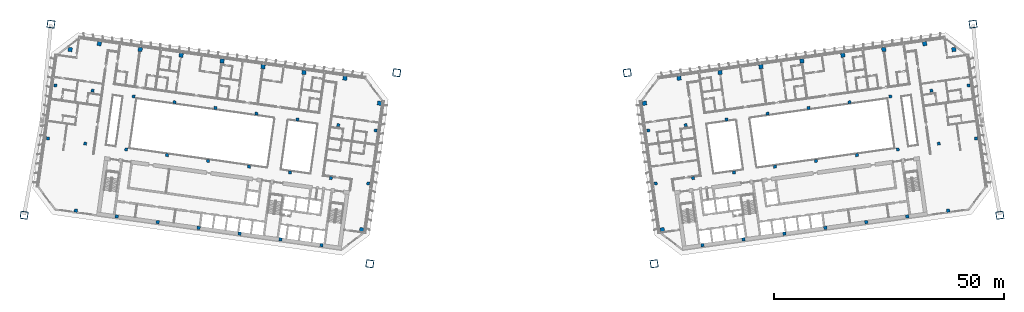
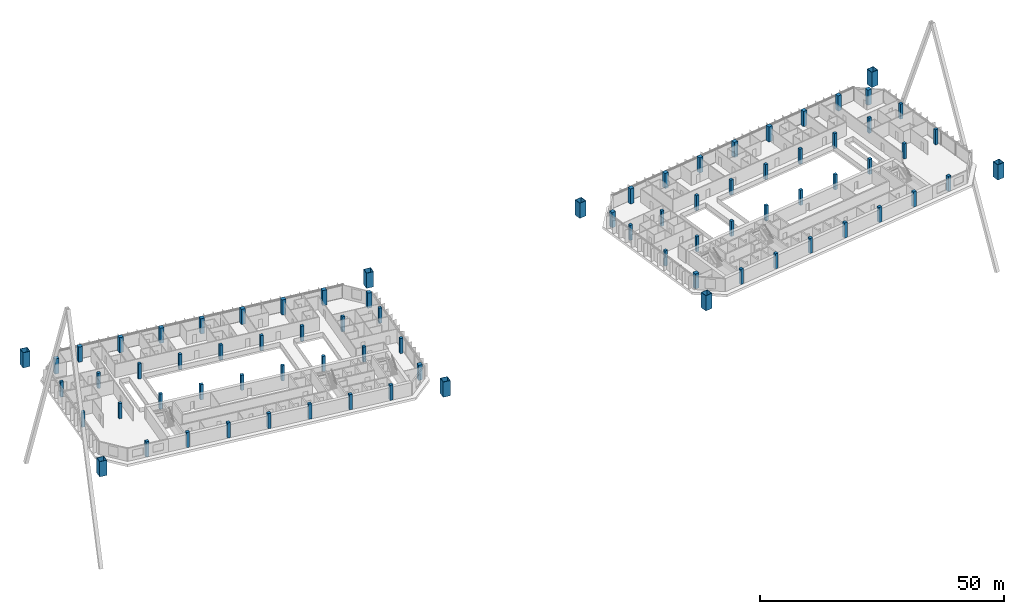
# One storey, part 1 of 33: 78 columns.
"""IFC4 building model written with IfcOpenShell, lengths in metres."""

from ifc_helpers import new_model, si_unit, direction, frame, origin, origin_2d, place, context, subcontext, project, spatial, rectangle, hollow_rectangle, extrude, material, material_profile, profile_set, type_object, element, save


model = new_model("IFC4")

# Units and contexts
model_context = context("Model", 3, precision=1e-05, world=origin(), true_north=direction((0.0, 1.0)))
body_context = subcontext(model_context, "Body", "Model", "MODEL_VIEW")
ifc_project = project(units=[si_unit("LENGTHUNIT", "METRE"), si_unit("AREAUNIT", "SQUARE_METRE"), si_unit("VOLUMEUNIT", "CUBIC_METRE"), si_unit("PLANEANGLEUNIT", "RADIAN"), si_unit("MASSUNIT", "GRAM", prefix="KILO")], contexts=[model_context])

# Site, building, storey
site_placement = place(None, origin())
site = spatial("IfcSite", under=ifc_project, at=site_placement, CompositionType="ELEMENT")
building_placement = place(site_placement, origin())
building = spatial("IfcBuilding", under=site, at=building_placement, Name="Mirante Cascada Hotel Towers", CompositionType="ELEMENT")
storey_placement = place(building_placement, frame((0.0, 0.0, 121.5)))
storey = spatial("IfcBuildingStorey", under=building, at=storey_placement, Name="L27", CompositionType="ELEMENT", Elevation=121.5)

# Columns
ifc_material_1 = material(Name="Steel ASTM A572 Gr 50", Category="steel")
ifc_material_profile_1 = material_profile(ifc_material_1, hollow_rectangle(XDim=1.6, YDim=1.6, WallThickness=0.07, at=origin_2d()), Name="Box column 1600x1600x70 ASTM A572 Gr 50")
ifc_profile_set_1 = profile_set([ifc_material_profile_1], Name="Steel ASTM A572 Gr 50")
column_type_1 = type_object("IfcColumnType", Name="Box column 1600x1600x70 ASTM A572 Gr 50", PredefinedType="COLUMN", material=ifc_profile_set_1)
for number, where, z_axis, x_axis, name in (
    (1, (-25.0968, 18.5173, 0.0), (0.0, 0.0, 1.0), (-0.9902681, 0.1391731, 0.0), "Mega column MC1 T1 L27"),
    (2, (-30.9421, -23.074, 0.0), (0.0, 0.0, 1.0), (-0.9902681, 0.1391731, 0.0), "Mega column MC2 T1 L27"),
    (3, (-100.3572, 29.0944, 0.0), (0.0, 0.0, 1.0), (-0.9902681, 0.1391731, 0.0), "Mega column MC3 T1 L27"),
    (4, (-106.2025, -12.4968, 0.0), (0.0, 0.0, 1.0), (-0.9902681, 0.1391731, 0.0), "Mega column MC4 T1 L27"),
    (5, (25.0968, 18.5173, 0.0), (0.0, 0.0, 1.0), (0.9902681, 0.1391731, 0.0), "Mega column MC1 T2 L27"),
    (6, (30.9421, -23.074, 0.0), (0.0, 0.0, 1.0), (0.9902681, 0.1391731, 0.0), "Mega column MC2 T2 L27"),
    (7, (100.3572, 29.0944, 0.0), (0.0, 0.0, 1.0), (0.9902681, 0.1391731, 0.0), "Mega column MC3 T2 L27"),
    (8, (106.2025, -12.4968, 0.0), (0.0, 0.0, 1.0), (0.9902681, 0.1391731, 0.0), "Mega column MC4 T2 L27"),
):
    element("IfcColumn", number, at=place(storey_placement, frame(where, z_axis=z_axis, x_axis=x_axis)), inside=storey, type_object=column_type_1, Name=name, PredefinedType="COLUMN", context=body_context, shape_type="SweptSolid", body=[
        extrude(hollow_rectangle(XDim=1.6, YDim=1.6, WallThickness=0.07, at=origin_2d()), origin(), (0.0, 0.0, 1.0), 3.8),
    ])
ifc_material_2 = material(Name="Concrete C60/75", Category="concrete")
ifc_material_profile_2 = material_profile(ifc_material_2, rectangle(XDim=0.65, YDim=0.65, at=origin_2d()), Name="RC column 650x650 C60/75")
ifc_profile_set_2 = profile_set([ifc_material_profile_2], Name="Concrete C60/75")
column_type_2 = type_object("IfcColumnType", Name="RC column 650x650 C60/75", PredefinedType="COLUMN", material=ifc_profile_set_2)
for number, where, z_axis, x_axis, name in (
    (9, (-29.6893, 5.9592, 0.0), (0.0, 0.0, 1.0), (-0.9902681, 0.1391731, 0.0), "Column T1 L27 2"),
    (10, (-31.3106, -5.5774, 0.0), (0.0, 0.0, 1.0), (-0.9902681, 0.1391731, 0.0), "Column T1 L27 3"),
    (11, (-37.8095, 7.1004, 0.0), (0.0, 0.0, 1.0), (-0.9902681, 0.1391731, 0.0), "Column T1 L27 6"),
    (12, (-39.4308, -4.4362, 0.0), (0.0, 0.0, 1.0), (-0.9902681, 0.1391731, 0.0), "Column T1 L27 7"),
    (13, (-46.7219, 8.353, 0.0), (0.0, 0.0, 1.0), (-0.9902681, 0.1391731, 0.0), "Column T1 L27 10"),
    (14, (-48.3432, -3.1836, 0.0), (0.0, 0.0, 1.0), (-0.9902681, 0.1391731, 0.0), "Column T1 L27 11"),
    (15, (-55.6343, 9.6055, 0.0), (0.0, 0.0, 1.0), (-0.9902681, 0.1391731, 0.0), "Column T1 L27 14"),
    (16, (-57.2557, -1.9311, 0.0), (0.0, 0.0, 1.0), (-0.9902681, 0.1391731, 0.0), "Column T1 L27 15"),
    (17, (-64.5467, 10.8581, 0.0), (0.0, 0.0, 1.0), (-0.9902681, 0.1391731, 0.0), "Column T1 L27 18"),
    (18, (-66.1681, -0.6785, 0.0), (0.0, 0.0, 1.0), (-0.9902681, 0.1391731, 0.0), "Column T1 L27 19"),
    (19, (-73.4591, 12.1107, 0.0), (0.0, 0.0, 1.0), (-0.9902681, 0.1391731, 0.0), "Column T1 L27 22"),
    (20, (-75.0805, 0.574, 0.0), (0.0, 0.0, 1.0), (-0.9902681, 0.1391731, 0.0), "Column T1 L27 23"),
    (21, (-82.3715, 13.3632, 0.0), (0.0, 0.0, 1.0), (-0.9902681, 0.1391731, 0.0), "Column T1 L27 26"),
    (22, (-83.9929, 1.8266, 0.0), (0.0, 0.0, 1.0), (-0.9902681, 0.1391731, 0.0), "Column T1 L27 27"),
    (23, (-91.2839, 14.6158, 0.0), (0.0, 0.0, 1.0), (-0.9902681, 0.1391731, 0.0), "Column T1 L27 30"),
    (24, (-92.9053, 3.0792, 0.0), (0.0, 0.0, 1.0), (-0.9902681, 0.1391731, 0.0), "Column T1 L27 31"),
    (25, (-99.4041, 15.757, 0.0), (0.0, 0.0, 1.0), (-0.9902681, 0.1391731, 0.0), "Column T1 L27 34"),
    (26, (-101.0255, 4.2204, 0.0), (0.0, 0.0, 1.0), (-0.9902681, 0.1391731, 0.0), "Column T1 L27 35"),
    (27, (29.6893, 5.9592, 0.0), (0.0, 0.0, 1.0), (0.9902681, 0.1391731, 0.0), "Column T2 L27 2"),
    (28, (31.3106, -5.5774, 0.0), (0.0, 0.0, 1.0), (0.9902681, 0.1391731, 0.0), "Column T2 L27 3"),
    (29, (37.8095, 7.1004, 0.0), (0.0, 0.0, 1.0), (0.9902681, 0.1391731, 0.0), "Column T2 L27 6"),
    (30, (39.4308, -4.4362, 0.0), (0.0, 0.0, 1.0), (0.9902681, 0.1391731, 0.0), "Column T2 L27 7"),
    (31, (46.7219, 8.353, 0.0), (0.0, 0.0, 1.0), (0.9902681, 0.1391731, 0.0), "Column T2 L27 10"),
    (32, (48.3432, -3.1836, 0.0), (0.0, 0.0, 1.0), (0.9902681, 0.1391731, 0.0), "Column T2 L27 11"),
    (33, (55.6343, 9.6055, 0.0), (0.0, 0.0, 1.0), (0.9902681, 0.1391731, 0.0), "Column T2 L27 14"),
    (34, (57.2557, -1.9311, 0.0), (0.0, 0.0, 1.0), (0.9902681, 0.1391731, 0.0), "Column T2 L27 15"),
    (35, (64.5467, 10.8581, 0.0), (0.0, 0.0, 1.0), (0.9902681, 0.1391731, 0.0), "Column T2 L27 18"),
    (36, (66.1681, -0.6785, 0.0), (0.0, 0.0, 1.0), (0.9902681, 0.1391731, 0.0), "Column T2 L27 19"),
    (37, (73.4591, 12.1107, 0.0), (0.0, 0.0, 1.0), (0.9902681, 0.1391731, 0.0), "Column T2 L27 22"),
    (38, (75.0805, 0.574, 0.0), (0.0, 0.0, 1.0), (0.9902681, 0.1391731, 0.0), "Column T2 L27 23"),
    (39, (82.3715, 13.3632, 0.0), (0.0, 0.0, 1.0), (0.9902681, 0.1391731, 0.0), "Column T2 L27 26"),
    (40, (83.9929, 1.8266, 0.0), (0.0, 0.0, 1.0), (0.9902681, 0.1391731, 0.0), "Column T2 L27 27"),
    (41, (91.2839, 14.6158, 0.0), (0.0, 0.0, 1.0), (0.9902681, 0.1391731, 0.0), "Column T2 L27 30"),
    (42, (92.9053, 3.0792, 0.0), (0.0, 0.0, 1.0), (0.9902681, 0.1391731, 0.0), "Column T2 L27 31"),
    (43, (99.4041, 15.757, 0.0), (0.0, 0.0, 1.0), (0.9902681, 0.1391731, 0.0), "Column T2 L27 34"),
    (44, (101.0255, 4.2204, 0.0), (0.0, 0.0, 1.0), (0.9902681, 0.1391731, 0.0), "Column T2 L27 35"),
):
    element("IfcColumn", number, at=place(storey_placement, frame(where, z_axis=z_axis, x_axis=x_axis)), inside=storey, type_object=column_type_2, Name=name, PredefinedType="COLUMN", context=body_context, shape_type="SweptSolid", body=[
        extrude(rectangle(XDim=0.65, YDim=0.65, at=origin_2d()), origin(), (0.0, 0.0, 1.0), 3.8),
    ])
ifc_material_3 = material(Name="Concrete C60/75", Category="concrete")
ifc_material_profile_3 = material_profile(ifc_material_3, rectangle(XDim=0.7, YDim=0.7, at=origin_2d()), Name="RC column 700x700 C60/75")
ifc_profile_set_3 = profile_set([ifc_material_profile_3], Name="Concrete C60/75")
column_type_3 = type_object("IfcColumnType", Name="RC column 700x700 C60/75", PredefinedType="COLUMN", material=ifc_profile_set_3)
for number, where, z_axis, x_axis, name in (
    (45, (-41.4802, -19.0179, 0.0), (0.0, 0.0, 1.0), (-0.9902681, 0.1391731, 0.0), "Column T1 L27 8"),
    (46, (-50.3926, -17.7653, 0.0), (0.0, 0.0, 1.0), (-0.9902681, 0.1391731, 0.0), "Column T1 L27 12"),
    (47, (-59.305, -16.5128, 0.0), (0.0, 0.0, 1.0), (-0.9902681, 0.1391731, 0.0), "Column T1 L27 16"),
    (48, (-68.2174, -15.2602, 0.0), (0.0, 0.0, 1.0), (-0.9902681, 0.1391731, 0.0), "Column T1 L27 20"),
    (49, (-77.1298, -14.0077, 0.0), (0.0, 0.0, 1.0), (-0.9902681, 0.1391731, 0.0), "Column T1 L27 24"),
    (50, (-86.0422, -12.7551, 0.0), (0.0, 0.0, 1.0), (-0.9902681, 0.1391731, 0.0), "Column T1 L27 28"),
    (51, (-94.9546, -11.5025, 0.0), (0.0, 0.0, 1.0), (-0.9902681, 0.1391731, 0.0), "Column T1 L27 32"),
    (52, (41.4802, -19.0179, 0.0), (0.0, 0.0, 1.0), (0.9902681, 0.1391731, 0.0), "Column T2 L27 8"),
    (53, (50.3926, -17.7653, 0.0), (0.0, 0.0, 1.0), (0.9902681, 0.1391731, 0.0), "Column T2 L27 12"),
    (54, (59.305, -16.5128, 0.0), (0.0, 0.0, 1.0), (0.9902681, 0.1391731, 0.0), "Column T2 L27 16"),
    (55, (68.2174, -15.2602, 0.0), (0.0, 0.0, 1.0), (0.9902681, 0.1391731, 0.0), "Column T2 L27 20"),
    (56, (77.1298, -14.0077, 0.0), (0.0, 0.0, 1.0), (0.9902681, 0.1391731, 0.0), "Column T2 L27 24"),
    (57, (86.0422, -12.7551, 0.0), (0.0, 0.0, 1.0), (0.9902681, 0.1391731, 0.0), "Column T2 L27 28"),
    (58, (94.9546, -11.5025, 0.0), (0.0, 0.0, 1.0), (0.9902681, 0.1391731, 0.0), "Column T2 L27 32"),
):
    element("IfcColumn", number, at=place(storey_placement, frame(where, z_axis=z_axis, x_axis=x_axis)), inside=storey, type_object=column_type_3, Name=name, PredefinedType="COLUMN", context=body_context, shape_type="SweptSolid", body=[
        extrude(rectangle(XDim=0.7, YDim=0.7, at=origin_2d()), origin(), (0.0, 0.0, 1.0), 3.8),
    ])
ifc_material_4 = material(Name="Concrete C60/75", Category="concrete")
ifc_material_profile_4 = material_profile(ifc_material_4, rectangle(XDim=0.9, YDim=0.9, at=origin_2d()), Name="RC column 900x900 C60/75")
ifc_profile_set_4 = profile_set([ifc_material_profile_4], Name="Concrete C60/75")
column_type_4 = type_object("IfcColumnType", Name="RC column 900x900 C60/75", PredefinedType="COLUMN", material=ifc_profile_set_4)
for number, where, z_axis, x_axis, name in (
    (59, (-28.8577, 11.8761, 0.0), (0.0, 0.0, 1.0), (-0.9902681, 0.1391731, 0.0), "Column T1 L27 1"),
    (60, (-32.7267, -15.6534, 0.0), (0.0, 0.0, 1.0), (-0.9902681, 0.1391731, 0.0), "Column T1 L27 4"),
    (61, (-36.3725, 17.325, 0.0), (0.0, 0.0, 1.0), (-0.9902681, 0.1391731, 0.0), "Column T1 L27 5"),
    (62, (-45.2849, 18.5775, 0.0), (0.0, 0.0, 1.0), (-0.9902681, 0.1391731, 0.0), "Column T1 L27 9"),
    (63, (-54.1973, 19.8301, 0.0), (0.0, 0.0, 1.0), (-0.9902681, 0.1391731, 0.0), "Column T1 L27 13"),
    (64, (-63.1097, 21.0826, 0.0), (0.0, 0.0, 1.0), (-0.9902681, 0.1391731, 0.0), "Column T1 L27 17"),
    (65, (-72.0222, 22.3352, 0.0), (0.0, 0.0, 1.0), (-0.9902681, 0.1391731, 0.0), "Column T1 L27 21"),
    (66, (-80.9346, 23.5877, 0.0), (0.0, 0.0, 1.0), (-0.9902681, 0.1391731, 0.0), "Column T1 L27 25"),
    (67, (-89.847, 24.8403, 0.0), (0.0, 0.0, 1.0), (-0.9902681, 0.1391731, 0.0), "Column T1 L27 29"),
    (68, (-96.1868, 23.5602, 0.0), (0.0, 0.0, 1.0), (-0.9902681, 0.1391731, 0.0), "Column T1 L27 33"),
    (69, (28.8577, 11.8761, 0.0), (0.0, 0.0, 1.0), (0.9902681, 0.1391731, 0.0), "Column T2 L27 1"),
    (70, (32.7267, -15.6534, 0.0), (0.0, 0.0, 1.0), (0.9902681, 0.1391731, 0.0), "Column T2 L27 4"),
    (71, (36.3725, 17.325, 0.0), (0.0, 0.0, 1.0), (0.9902681, 0.1391731, 0.0), "Column T2 L27 5"),
    (72, (45.2849, 18.5775, 0.0), (0.0, 0.0, 1.0), (0.9902681, 0.1391731, 0.0), "Column T2 L27 9"),
    (73, (54.1973, 19.8301, 0.0), (0.0, 0.0, 1.0), (0.9902681, 0.1391731, 0.0), "Column T2 L27 13"),
    (74, (63.1097, 21.0826, 0.0), (0.0, 0.0, 1.0), (0.9902681, 0.1391731, 0.0), "Column T2 L27 17"),
    (75, (72.0222, 22.3352, 0.0), (0.0, 0.0, 1.0), (0.9902681, 0.1391731, 0.0), "Column T2 L27 21"),
    (76, (80.9346, 23.5877, 0.0), (0.0, 0.0, 1.0), (0.9902681, 0.1391731, 0.0), "Column T2 L27 25"),
    (77, (89.847, 24.8403, 0.0), (0.0, 0.0, 1.0), (0.9902681, 0.1391731, 0.0), "Column T2 L27 29"),
    (78, (96.1868, 23.5602, 0.0), (0.0, 0.0, 1.0), (0.9902681, 0.1391731, 0.0), "Column T2 L27 33"),
):
    element("IfcColumn", number, at=place(storey_placement, frame(where, z_axis=z_axis, x_axis=x_axis)), inside=storey, type_object=column_type_4, Name=name, PredefinedType="COLUMN", context=body_context, shape_type="SweptSolid", body=[
        extrude(rectangle(XDim=0.9, YDim=0.9, at=origin_2d()), origin(), (0.0, 0.0, 1.0), 3.8),
    ])

save(model, "model.ifc")
